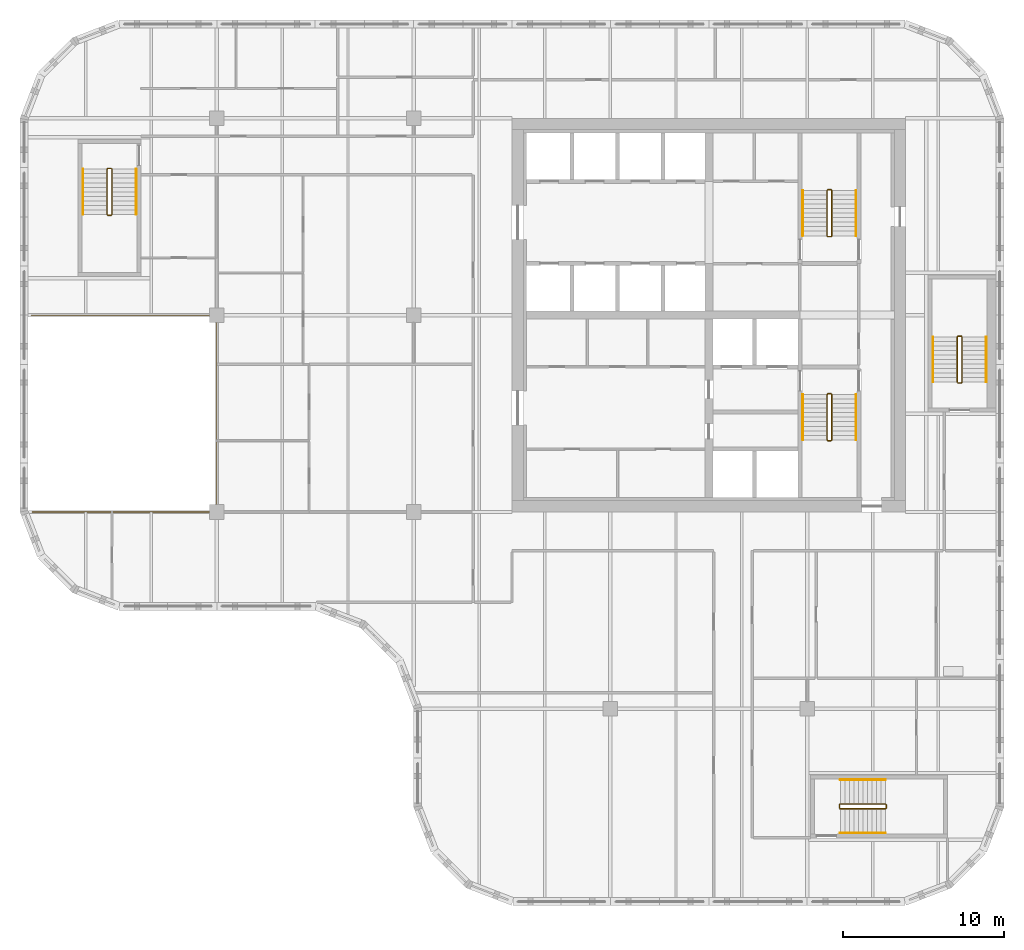
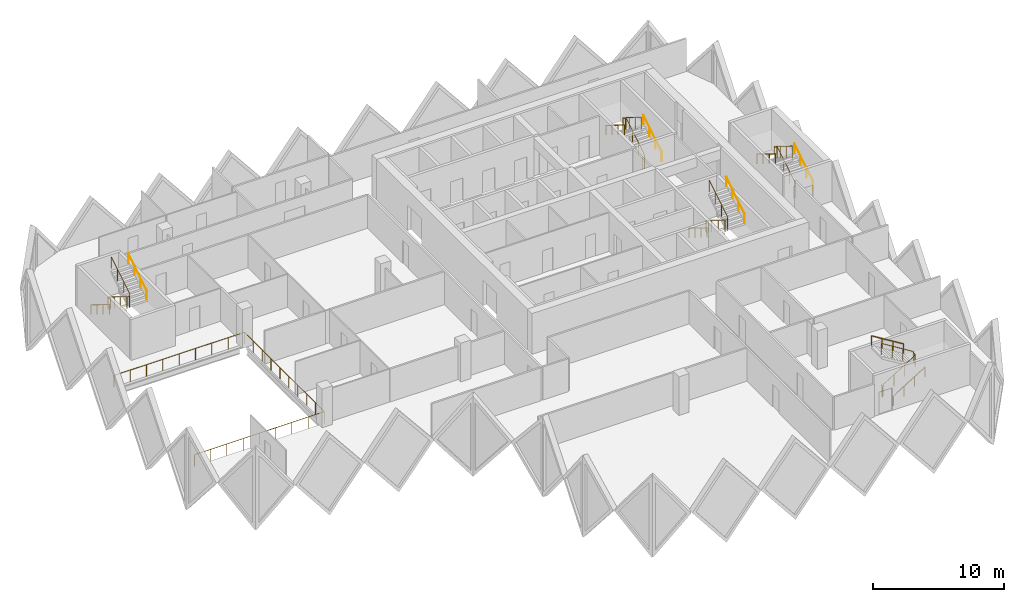
# One storey, part 11 of 12: 16 railings.
"""IFC4 building model written with IfcOpenShell, lengths in metres."""

from ifc_helpers import new_model, si_unit, direction, frame, origin, origin_2d, place, context, subcontext, project, spatial, circle, extrude, material, type_object, element, save


model = new_model("IFC4")

# Units and contexts
model_context = context("Model", 3, precision=1e-05, world=origin(), true_north=direction((0.0, 1.0)))
body_context = subcontext(model_context, "Body", "Model", "MODEL_VIEW")
ifc_project = project(units=[si_unit("LENGTHUNIT", "METRE"), si_unit("AREAUNIT", "SQUARE_METRE"), si_unit("VOLUMEUNIT", "CUBIC_METRE"), si_unit("PLANEANGLEUNIT", "RADIAN"), si_unit("MASSUNIT", "GRAM", prefix="KILO")], contexts=[model_context])

# Site, building, storey
site_placement = place(None, origin())
site = spatial("IfcSite", under=ifc_project, at=site_placement, CompositionType="ELEMENT")
building_placement = place(site_placement, origin())
building = spatial("IfcBuilding", under=site, at=building_placement, Name="Tessera Gate Towers", CompositionType="ELEMENT")
storey_placement = place(building_placement, frame((0.0, 0.0, 124.0)))
storey = spatial("IfcBuildingStorey", under=building, at=storey_placement, Name="L30", CompositionType="ELEMENT", Elevation=124.0)

# Railings
ifc_material_1 = material(Name="Toughened glass with stainless steel handrail", Category="steel")
railing_type_1 = type_object("IfcRailingType", Name="GUARD 1100 GLASS BALUSTRADE", PredefinedType="GUARDRAIL", material=ifc_material_1)
railing_1_placement = place(storey_placement, frame((0.750244140625, 24.39990234375, 0.0)))
element("IfcRailing", 1, at=railing_1_placement, inside=storey, type_object=railing_type_1, Name="Guard", PredefinedType="GUARDRAIL", context=body_context, shape_type="SweptSolid", body=[
    extrude(circle(Radius=0.02490234375, at=origin_2d()), frame((0.0, 0.0, 1.0751953125), z_axis=(1.0, 0.0, 0.0), x_axis=(0.0, 1.0, 0.0)), (0.0, 0.0, 1.0), 11.44970703125),
    extrude(circle(Radius=0.02490234375, at=origin_2d()), frame((11.44970703125, 0.0, 1.0751953125), z_axis=(0.0, 1.0, 0.0), x_axis=(-1.0, 0.0, 0.0)), (0.0, 0.0, 1.0), 12.2001953125),
    extrude(circle(Radius=0.02490234375, at=origin_2d()), frame((11.44970703125, 12.2001953125, 1.0751953125), z_axis=(-1.0, 0.0, 0.0), x_axis=(0.0, -1.0, 0.0)), (0.0, 0.0, 1.0), 11.5),
    extrude(circle(Radius=0.02490234375, at=origin_2d()), origin(), (0.0, 0.0, 1.0), 1.050048828125),
    extrude(circle(Radius=0.02490234375, at=origin_2d()), frame((1.43115234375, 0.0, 0.0)), (0.0, 0.0, 1.0), 1.050048828125),
    extrude(circle(Radius=0.02490234375, at=origin_2d()), frame((2.8623046875, 0.0, 0.0)), (0.0, 0.0, 1.0), 1.050048828125),
    extrude(circle(Radius=0.02490234375, at=origin_2d()), frame((4.293701171875, 0.0, 0.0)), (0.0, 0.0, 1.0), 1.050048828125),
    extrude(circle(Radius=0.02490234375, at=origin_2d()), frame((5.724853515625, 0.0, 0.0)), (0.0, 0.0, 1.0), 1.050048828125),
    extrude(circle(Radius=0.02490234375, at=origin_2d()), frame((7.156005859375, 0.0, 0.0)), (0.0, 0.0, 1.0), 1.050048828125),
    extrude(circle(Radius=0.02490234375, at=origin_2d()), frame((8.58740234375, 0.0, 0.0)), (0.0, 0.0, 1.0), 1.050048828125),
    extrude(circle(Radius=0.02490234375, at=origin_2d()), frame((10.0185546875, 0.0, 0.0)), (0.0, 0.0, 1.0), 1.050048828125),
    extrude(circle(Radius=0.02490234375, at=origin_2d()), frame((11.44970703125, 0.0, 0.0)), (0.0, 0.0, 1.0), 1.050048828125),
    extrude(circle(Radius=0.02490234375, at=origin_2d()), frame((11.44970703125, 1.35546875, 0.0)), (0.0, 0.0, 1.0), 1.050048828125),
    extrude(circle(Radius=0.02490234375, at=origin_2d()), frame((11.44970703125, 2.711181640625, 0.0)), (0.0, 0.0, 1.0), 1.050048828125),
    extrude(circle(Radius=0.02490234375, at=origin_2d()), frame((11.44970703125, 4.066650390625, 0.0)), (0.0, 0.0, 1.0), 1.050048828125),
    extrude(circle(Radius=0.02490234375, at=origin_2d()), frame((11.44970703125, 5.42236328125, 0.0)), (0.0, 0.0, 1.0), 1.050048828125),
    extrude(circle(Radius=0.02490234375, at=origin_2d()), frame((11.44970703125, 6.77783203125, 0.0)), (0.0, 0.0, 1.0), 1.050048828125),
    extrude(circle(Radius=0.02490234375, at=origin_2d()), frame((11.44970703125, 8.133544921875, 0.0)), (0.0, 0.0, 1.0), 1.050048828125),
    extrude(circle(Radius=0.02490234375, at=origin_2d()), frame((11.44970703125, 9.489013671875, 0.0)), (0.0, 0.0, 1.0), 1.050048828125),
    extrude(circle(Radius=0.02490234375, at=origin_2d()), frame((11.44970703125, 10.8447265625, 0.0)), (0.0, 0.0, 1.0), 1.050048828125),
    extrude(circle(Radius=0.02490234375, at=origin_2d()), frame((11.44970703125, 12.2001953125, 0.0)), (0.0, 0.0, 1.0), 1.050048828125),
    extrude(circle(Radius=0.02490234375, at=origin_2d()), frame((10.01220703125, 12.2001953125, 0.0)), (0.0, 0.0, 1.0), 1.050048828125),
    extrude(circle(Radius=0.02490234375, at=origin_2d()), frame((8.57470703125, 12.2001953125, 0.0)), (0.0, 0.0, 1.0), 1.050048828125),
    extrude(circle(Radius=0.02490234375, at=origin_2d()), frame((7.13720703125, 12.2001953125, 0.0)), (0.0, 0.0, 1.0), 1.050048828125),
    extrude(circle(Radius=0.02490234375, at=origin_2d()), frame((5.69970703125, 12.2001953125, 0.0)), (0.0, 0.0, 1.0), 1.050048828125),
    extrude(circle(Radius=0.02490234375, at=origin_2d()), frame((4.26220703125, 12.2001953125, 0.0)), (0.0, 0.0, 1.0), 1.050048828125),
    extrude(circle(Radius=0.02490234375, at=origin_2d()), frame((2.82470703125, 12.2001953125, 0.0)), (0.0, 0.0, 1.0), 1.050048828125),
    extrude(circle(Radius=0.02490234375, at=origin_2d()), frame((1.38720703125, 12.2001953125, 0.0)), (0.0, 0.0, 1.0), 1.050048828125),
    extrude(circle(Radius=0.02490234375, at=origin_2d()), frame((-0.05029296875, 12.2001953125, 0.0)), (0.0, 0.0, 1.0), 1.050048828125),
])
ifc_material_2 = material(Name="Steel 350W", Category="steel")
railing_type_2 = type_object("IfcRailingType", Name="STAIR GUARD 1100", PredefinedType="GUARDRAIL", material=ifc_material_2)
railing_2_placement = place(storey_placement, frame((50.27490234375, 31.72509765625, 0.0)))
element("IfcRailing", 2, at=railing_2_placement, inside=storey, type_object=railing_type_2, Name="L30 ST1 stair guard 1", PredefinedType="GUARDRAIL", context=body_context, shape_type="SweptSolid", body=[
    extrude(circle(Radius=0.02392578125, at=origin_2d()), frame((0.0, 0.0, 1.076171875), z_axis=(-1.0, 0.0, 0.0), x_axis=(0.0, -1.0, 0.0)), (0.0, 0.0, 1.0), 0.199951171875),
    extrude(circle(Radius=0.02392578125, at=origin_2d()), frame((-0.199951171875, 0.0, 1.076171875), z_axis=(-0.268277960024, -0.268277960024, 0.925231793839), x_axis=(0.707106781187, -0.707106781187, 0.0)), (0.0, 0.0, 1.0), 0.1865234375),
    extrude(circle(Radius=0.02392578125, at=origin_2d()), frame((-0.25, -0.050048828125, 1.24853515625), z_axis=(0.0, -0.851089632645, 0.525020415988), x_axis=(1.0, 0.0, 0.0)), (0.0, 0.0, 1.0), 3.2900390625),
    extrude(circle(Radius=0.02392578125, at=origin_2d()), frame((-0.25, -2.85009765625, 2.97607421875), z_axis=(0.707106781187, -0.707106781187, 0.0), x_axis=(0.707106781187, 0.707106781187, 0.0)), (0.0, 0.0, 1.0), 0.07080078125),
    extrude(circle(Radius=0.02392578125, at=origin_2d()), frame((-0.199951171875, -2.900146484375, 2.97607421875), z_axis=(1.0, 0.0, 0.0), x_axis=(0.0, 1.0, 0.0)), (0.0, 0.0, 1.0), 0.199951171875),
    extrude(circle(Radius=0.02392578125, at=origin_2d()), frame((0.0, -2.900146484375, 2.97607421875), z_axis=(0.267953482034, 0.267953482034, 0.925419830635), x_axis=(-0.707106781187, 0.707106781187, 0.0)), (0.0, 0.0, 1.0), 0.186767578125),
    extrude(circle(Radius=0.02392578125, at=origin_2d()), frame((0.050048828125, -2.85009765625, 3.14892578125), z_axis=(0.0, 0.851089632645, 0.525020415988), x_axis=(-1.0, 0.0, 0.0)), (0.0, 0.0, 1.0), 3.2900390625),
    extrude(circle(Radius=0.02099609375, at=origin_2d()), origin(), (0.0, 0.0, 1.0), 1.052001953125),
    extrude(circle(Radius=0.02099609375, at=origin_2d()), frame((-0.199951171875, 0.0, 0.0)), (0.0, 0.0, 1.0), 1.052001953125),
    extrude(circle(Radius=0.02099609375, at=origin_2d()), frame((-0.25, -0.050048828125, 0.172607421875)), (0.0, 0.0, 1.0), 1.052001953125),
    extrude(circle(Radius=0.02099609375, at=origin_2d()), frame((-0.25, -0.9833984375, 0.748291015625)), (0.0, 0.0, 1.0), 1.052001953125),
    extrude(circle(Radius=0.02099609375, at=origin_2d()), frame((-0.25, -1.916748046875, 1.32421875)), (0.0, 0.0, 1.0), 1.052001953125),
    extrude(circle(Radius=0.02099609375, at=origin_2d()), frame((-0.25, -2.85009765625, 1.89990234375)), (0.0, 0.0, 1.0), 1.052001953125),
    extrude(circle(Radius=0.02099609375, at=origin_2d()), frame((-0.199951171875, -2.900146484375, 1.89990234375)), (0.0, 0.0, 1.0), 1.052001953125),
    extrude(circle(Radius=0.02099609375, at=origin_2d()), frame((0.0, -2.900146484375, 1.89990234375)), (0.0, 0.0, 1.0), 1.052001953125),
    extrude(circle(Radius=0.02099609375, at=origin_2d()), frame((0.050048828125, -2.85009765625, 2.07275390625)), (0.0, 0.0, 1.0), 1.052001953125),
    extrude(circle(Radius=0.02099609375, at=origin_2d()), frame((0.050048828125, -1.916748046875, 2.6484375)), (0.0, 0.0, 1.0), 1.052001953125),
    extrude(circle(Radius=0.02099609375, at=origin_2d()), frame((0.050048828125, -0.9833984375, 3.224365234375)), (0.0, 0.0, 1.0), 1.052001953125),
    extrude(circle(Radius=0.02099609375, at=origin_2d()), frame((0.050048828125, -0.050048828125, 3.800048828125)), (0.0, 0.0, 1.0), 1.052001953125),
])
railing_3_placement = place(storey_placement, frame((50.074951171875, 41.47509765625, 0.0)))
element("IfcRailing", 3, at=railing_3_placement, inside=storey, type_object=railing_type_2, Name="L30 ST2 stair guard 1", PredefinedType="GUARDRAIL", context=body_context, shape_type="SweptSolid", body=[
    extrude(circle(Radius=0.02392578125, at=origin_2d()), frame((0.0, 0.0, 1.076171875), z_axis=(1.0, 0.0, 0.0), x_axis=(0.0, 1.0, 0.0)), (0.0, 0.0, 1.0), 0.199951171875),
    extrude(circle(Radius=0.02392578125, at=origin_2d()), frame((0.199951171875, 0.0, 1.076171875), z_axis=(0.268371968888, 0.267062837333, 0.925556009775), x_axis=(-0.705375805398, 0.708833529934, 0.0)), (0.0, 0.0, 1.0), 0.1865234375),
    extrude(circle(Radius=0.02392578125, at=origin_2d()), frame((0.25, 0.0498046875, 1.24853515625), z_axis=(0.0, 0.851089632645, 0.525020415988), x_axis=(-1.0, 0.0, 0.0)), (0.0, 0.0, 1.0), 3.2900390625),
    extrude(circle(Radius=0.02392578125, at=origin_2d()), frame((0.25, 2.849853515625, 2.97607421875), z_axis=(-0.707106781187, 0.707106781187, 0.0), x_axis=(-0.707106781187, -0.707106781187, 0.0)), (0.0, 0.0, 1.0), 0.07080078125),
    extrude(circle(Radius=0.02392578125, at=origin_2d()), frame((0.199951171875, 2.89990234375, 2.97607421875), z_axis=(-1.0, 0.0, 0.0), x_axis=(0.0, -1.0, 0.0)), (0.0, 0.0, 1.0), 0.199951171875),
    extrude(circle(Radius=0.02392578125, at=origin_2d()), frame((0.0, 2.89990234375, 2.97607421875), z_axis=(-0.267953482034, -0.267953482034, 0.925419830635), x_axis=(0.707106781187, -0.707106781187, 0.0)), (0.0, 0.0, 1.0), 0.186767578125),
    extrude(circle(Radius=0.02392578125, at=origin_2d()), frame((-0.050048828125, 2.849853515625, 3.14892578125), z_axis=(0.0, -0.851089632645, 0.525020415988), x_axis=(1.0, 0.0, 0.0)), (0.0, 0.0, 1.0), 3.2900390625),
    extrude(circle(Radius=0.02099609375, at=origin_2d()), origin(), (0.0, 0.0, 1.0), 1.052001953125),
    extrude(circle(Radius=0.02099609375, at=origin_2d()), frame((0.199951171875, 0.0, 0.0)), (0.0, 0.0, 1.0), 1.052001953125),
    extrude(circle(Radius=0.02099609375, at=origin_2d()), frame((0.25, 0.0498046875, 0.172607421875)), (0.0, 0.0, 1.0), 1.052001953125),
    extrude(circle(Radius=0.02099609375, at=origin_2d()), frame((0.25, 0.983154296875, 0.748291015625)), (0.0, 0.0, 1.0), 1.052001953125),
    extrude(circle(Radius=0.02099609375, at=origin_2d()), frame((0.25, 1.91650390625, 1.32421875)), (0.0, 0.0, 1.0), 1.052001953125),
    extrude(circle(Radius=0.02099609375, at=origin_2d()), frame((0.25, 2.849853515625, 1.89990234375)), (0.0, 0.0, 1.0), 1.052001953125),
    extrude(circle(Radius=0.02099609375, at=origin_2d()), frame((0.199951171875, 2.89990234375, 1.89990234375)), (0.0, 0.0, 1.0), 1.052001953125),
    extrude(circle(Radius=0.02099609375, at=origin_2d()), frame((0.0, 2.89990234375, 1.89990234375)), (0.0, 0.0, 1.0), 1.052001953125),
    extrude(circle(Radius=0.02099609375, at=origin_2d()), frame((-0.050048828125, 2.849853515625, 2.07275390625)), (0.0, 0.0, 1.0), 1.052001953125),
    extrude(circle(Radius=0.02099609375, at=origin_2d()), frame((-0.050048828125, 1.91650390625, 2.6484375)), (0.0, 0.0, 1.0), 1.052001953125),
    extrude(circle(Radius=0.02099609375, at=origin_2d()), frame((-0.050048828125, 0.983154296875, 3.224365234375)), (0.0, 0.0, 1.0), 1.052001953125),
    extrude(circle(Radius=0.02099609375, at=origin_2d()), frame((-0.050048828125, 0.0498046875, 3.800048828125)), (0.0, 0.0, 1.0), 1.052001953125),
])
railing_4_placement = place(storey_placement, frame((5.64990234375, 45.699951171875, 0.0)))
element("IfcRailing", 4, at=railing_4_placement, inside=storey, type_object=railing_type_2, Name="L30 ST3 stair guard 1", PredefinedType="GUARDRAIL", context=body_context, shape_type="SweptSolid", body=[
    extrude(circle(Radius=0.02392578125, at=origin_2d()), frame((0.0, 0.0, 1.076171875), z_axis=(-1.0, 0.0, 0.0), x_axis=(0.0, -1.0, 0.0)), (0.0, 0.0, 1.0), 0.199951171875),
    extrude(circle(Radius=0.02392578125, at=origin_2d()), frame((-0.199951171875, 0.0, 1.076171875), z_axis=(-0.268277960024, -0.268277960024, 0.925231793839), x_axis=(0.707106781187, -0.707106781187, 0.0)), (0.0, 0.0, 1.0), 0.1865234375),
    extrude(circle(Radius=0.02392578125, at=origin_2d()), frame((-0.25, -0.050048828125, 1.24853515625), z_axis=(0.0, -0.851069175582, 0.525053576669), x_axis=(1.0, 0.0, 0.0)), (0.0, 0.0, 1.0), 3.289794921875),
    extrude(circle(Radius=0.02392578125, at=origin_2d()), frame((-0.25, -2.849853515625, 2.97607421875), z_axis=(0.707106781187, -0.707106781187, 0.0), x_axis=(0.707106781187, 0.707106781187, 0.0)), (0.0, 0.0, 1.0), 0.07080078125),
    extrude(circle(Radius=0.02392578125, at=origin_2d()), frame((-0.199951171875, -2.89990234375, 2.97607421875), z_axis=(1.0, 0.0, 0.0), x_axis=(0.0, 1.0, 0.0)), (0.0, 0.0, 1.0), 0.199951171875),
    extrude(circle(Radius=0.02392578125, at=origin_2d()), frame((0.0, -2.89990234375, 2.97607421875), z_axis=(0.267953482034, 0.267953482034, 0.925419830635), x_axis=(-0.707106781187, 0.707106781187, 0.0)), (0.0, 0.0, 1.0), 0.186767578125),
    extrude(circle(Radius=0.02392578125, at=origin_2d()), frame((0.050048828125, -2.849853515625, 3.14892578125), z_axis=(0.0, 0.851069175582, 0.525053576669), x_axis=(-1.0, 0.0, 0.0)), (0.0, 0.0, 1.0), 3.289794921875),
    extrude(circle(Radius=0.02099609375, at=origin_2d()), origin(), (0.0, 0.0, 1.0), 1.052001953125),
    extrude(circle(Radius=0.02099609375, at=origin_2d()), frame((-0.199951171875, 0.0, 0.0)), (0.0, 0.0, 1.0), 1.052001953125),
    extrude(circle(Radius=0.02099609375, at=origin_2d()), frame((-0.25, -0.050048828125, 0.172607421875)), (0.0, 0.0, 1.0), 1.052001953125),
    extrude(circle(Radius=0.02099609375, at=origin_2d()), frame((-0.25, -0.9833984375, 0.748291015625)), (0.0, 0.0, 1.0), 1.052001953125),
    extrude(circle(Radius=0.02099609375, at=origin_2d()), frame((-0.25, -1.91650390625, 1.32421875)), (0.0, 0.0, 1.0), 1.052001953125),
    extrude(circle(Radius=0.02099609375, at=origin_2d()), frame((-0.25, -2.849853515625, 1.89990234375)), (0.0, 0.0, 1.0), 1.052001953125),
    extrude(circle(Radius=0.02099609375, at=origin_2d()), frame((-0.199951171875, -2.89990234375, 1.89990234375)), (0.0, 0.0, 1.0), 1.052001953125),
    extrude(circle(Radius=0.02099609375, at=origin_2d()), frame((0.0, -2.89990234375, 1.89990234375)), (0.0, 0.0, 1.0), 1.052001953125),
    extrude(circle(Radius=0.02099609375, at=origin_2d()), frame((0.050048828125, -2.849853515625, 2.07275390625)), (0.0, 0.0, 1.0), 1.052001953125),
    extrude(circle(Radius=0.02099609375, at=origin_2d()), frame((0.050048828125, -1.91650390625, 2.6484375)), (0.0, 0.0, 1.0), 1.052001953125),
    extrude(circle(Radius=0.02099609375, at=origin_2d()), frame((0.050048828125, -0.9833984375, 3.224365234375)), (0.0, 0.0, 1.0), 1.052001953125),
    extrude(circle(Radius=0.02099609375, at=origin_2d()), frame((0.050048828125, -0.050048828125, 3.800048828125)), (0.0, 0.0, 1.0), 1.052001953125),
])
railing_5_placement = place(storey_placement, frame((50.800048828125, 6.25, 0.0)))
element("IfcRailing", 5, at=railing_5_placement, inside=storey, type_object=railing_type_2, Name="L30 ST4 stair guard 1", PredefinedType="GUARDRAIL", context=body_context, shape_type="SweptSolid", body=[
    extrude(circle(Radius=0.02392578125, at=origin_2d()), frame((0.0, 0.0, 1.076171875), z_axis=(0.0, -1.0, 0.0), x_axis=(1.0, 0.0, 0.0)), (0.0, 0.0, 1.0), 0.199951171875),
    extrude(circle(Radius=0.02392578125, at=origin_2d()), frame((0.0, -0.199951171875, 1.076171875), z_axis=(0.268277960024, -0.268277960024, 0.925231793839), x_axis=(0.707106781187, 0.707106781187, 0.0)), (0.0, 0.0, 1.0), 0.1865234375),
    extrude(circle(Radius=0.02392578125, at=origin_2d()), frame((0.050048828125, -0.25, 1.24853515625), z_axis=(0.851069175582, 0.0, 0.525053576669), x_axis=(0.0, 1.0, 0.0)), (0.0, 0.0, 1.0), 3.289794921875),
    extrude(circle(Radius=0.02392578125, at=origin_2d()), frame((2.849853515625, -0.25, 2.97607421875), z_axis=(0.707106781187, 0.707106781187, 0.0), x_axis=(-0.707106781187, 0.707106781187, 0.0)), (0.0, 0.0, 1.0), 0.07080078125),
    extrude(circle(Radius=0.02392578125, at=origin_2d()), frame((2.89990234375, -0.199951171875, 2.97607421875), z_axis=(0.0, 1.0, 0.0), x_axis=(-1.0, 0.0, 0.0)), (0.0, 0.0, 1.0), 0.199951171875),
    extrude(circle(Radius=0.02392578125, at=origin_2d()), frame((2.89990234375, 0.0, 2.97607421875), z_axis=(-0.267953482034, 0.267953482034, 0.925419830635), x_axis=(-0.707106781187, -0.707106781187, 0.0)), (0.0, 0.0, 1.0), 0.186767578125),
    extrude(circle(Radius=0.02392578125, at=origin_2d()), frame((2.849853515625, 0.050048828125, 3.14892578125), z_axis=(-0.851069175582, 0.0, 0.525053576669), x_axis=(0.0, -1.0, 0.0)), (0.0, 0.0, 1.0), 3.289794921875),
    extrude(circle(Radius=0.02099609375, at=origin_2d()), origin(), (0.0, 0.0, 1.0), 1.052001953125),
    extrude(circle(Radius=0.02099609375, at=origin_2d()), frame((0.0, -0.199951171875, 0.0)), (0.0, 0.0, 1.0), 1.052001953125),
    extrude(circle(Radius=0.02099609375, at=origin_2d()), frame((0.050048828125, -0.25, 0.172607421875)), (0.0, 0.0, 1.0), 1.052001953125),
    extrude(circle(Radius=0.02099609375, at=origin_2d()), frame((0.9833984375, -0.25, 0.748291015625)), (0.0, 0.0, 1.0), 1.052001953125),
    extrude(circle(Radius=0.02099609375, at=origin_2d()), frame((1.91650390625, -0.25, 1.32421875)), (0.0, 0.0, 1.0), 1.052001953125),
    extrude(circle(Radius=0.02099609375, at=origin_2d()), frame((2.849853515625, -0.25, 1.89990234375)), (0.0, 0.0, 1.0), 1.052001953125),
    extrude(circle(Radius=0.02099609375, at=origin_2d()), frame((2.89990234375, -0.199951171875, 1.89990234375)), (0.0, 0.0, 1.0), 1.052001953125),
    extrude(circle(Radius=0.02099609375, at=origin_2d()), frame((2.89990234375, 0.0, 1.89990234375)), (0.0, 0.0, 1.0), 1.052001953125),
    extrude(circle(Radius=0.02099609375, at=origin_2d()), frame((2.849853515625, 0.050048828125, 2.07275390625)), (0.0, 0.0, 1.0), 1.052001953125),
    extrude(circle(Radius=0.02099609375, at=origin_2d()), frame((1.91650390625, 0.050048828125, 2.6484375)), (0.0, 0.0, 1.0), 1.052001953125),
    extrude(circle(Radius=0.02099609375, at=origin_2d()), frame((0.9833984375, 0.050048828125, 3.224365234375)), (0.0, 0.0, 1.0), 1.052001953125),
    extrude(circle(Radius=0.02099609375, at=origin_2d()), frame((0.050048828125, 0.050048828125, 3.800048828125)), (0.0, 0.0, 1.0), 1.052001953125),
])
railing_6_placement = place(storey_placement, frame((58.14990234375, 32.39990234375, 0.0)))
element("IfcRailing", 6, at=railing_6_placement, inside=storey, type_object=railing_type_2, Name="L30 ST5 stair guard 1", PredefinedType="GUARDRAIL", context=body_context, shape_type="SweptSolid", body=[
    extrude(circle(Radius=0.02392578125, at=origin_2d()), frame((0.0, 0.0, 1.076171875), z_axis=(1.0, 0.0, 0.0), x_axis=(0.0, 1.0, 0.0)), (0.0, 0.0, 1.0), 0.2001953125),
    extrude(circle(Radius=0.02392578125, at=origin_2d()), frame((0.2001953125, 0.0, 1.076171875), z_axis=(0.267062837333, 0.268371968888, 0.925556009775), x_axis=(-0.708833529934, 0.705375805398, 0.0)), (0.0, 0.0, 1.0), 0.1865234375),
    extrude(circle(Radius=0.02392578125, at=origin_2d()), frame((0.25, 0.050048828125, 1.24853515625), z_axis=(0.0, 0.851089632645, 0.525020415988), x_axis=(-1.0, 0.0, 0.0)), (0.0, 0.0, 1.0), 3.2900390625),
    extrude(circle(Radius=0.02392578125, at=origin_2d()), frame((0.25, 2.85009765625, 2.97607421875), z_axis=(-0.705375805398, 0.708833529934, 0.0), x_axis=(-0.708833529934, -0.705375805398, 0.0)), (0.0, 0.0, 1.0), 0.070556640625),
    extrude(circle(Radius=0.02392578125, at=origin_2d()), frame((0.2001953125, 2.900146484375, 2.97607421875), z_axis=(-1.0, 0.0, 0.0), x_axis=(0.0, -1.0, 0.0)), (0.0, 0.0, 1.0), 0.2001953125),
    extrude(circle(Radius=0.02392578125, at=origin_2d()), frame((0.0, 2.900146484375, 2.97607421875), z_axis=(-0.266739603011, -0.268047150085, 0.925743328097), x_axis=(0.708833529934, -0.705375805398, 0.0)), (0.0, 0.0, 1.0), 0.186767578125),
    extrude(circle(Radius=0.02392578125, at=origin_2d()), frame((-0.0498046875, 2.85009765625, 3.14892578125), z_axis=(0.0, -0.851089632645, 0.525020415988), x_axis=(1.0, 0.0, 0.0)), (0.0, 0.0, 1.0), 3.2900390625),
    extrude(circle(Radius=0.02099609375, at=origin_2d()), origin(), (0.0, 0.0, 1.0), 1.052001953125),
    extrude(circle(Radius=0.02099609375, at=origin_2d()), frame((0.2001953125, 0.0, 0.0)), (0.0, 0.0, 1.0), 1.052001953125),
    extrude(circle(Radius=0.02099609375, at=origin_2d()), frame((0.25, 0.050048828125, 0.172607421875)), (0.0, 0.0, 1.0), 1.052001953125),
    extrude(circle(Radius=0.02099609375, at=origin_2d()), frame((0.25, 0.9833984375, 0.748291015625)), (0.0, 0.0, 1.0), 1.052001953125),
    extrude(circle(Radius=0.02099609375, at=origin_2d()), frame((0.25, 1.916748046875, 1.32421875)), (0.0, 0.0, 1.0), 1.052001953125),
    extrude(circle(Radius=0.02099609375, at=origin_2d()), frame((0.25, 2.85009765625, 1.89990234375)), (0.0, 0.0, 1.0), 1.052001953125),
    extrude(circle(Radius=0.02099609375, at=origin_2d()), frame((0.2001953125, 2.900146484375, 1.89990234375)), (0.0, 0.0, 1.0), 1.052001953125),
    extrude(circle(Radius=0.02099609375, at=origin_2d()), frame((0.0, 2.900146484375, 1.89990234375)), (0.0, 0.0, 1.0), 1.052001953125),
    extrude(circle(Radius=0.02099609375, at=origin_2d()), frame((-0.0498046875, 2.85009765625, 2.07275390625)), (0.0, 0.0, 1.0), 1.052001953125),
    extrude(circle(Radius=0.02099609375, at=origin_2d()), frame((-0.0498046875, 1.916748046875, 2.6484375)), (0.0, 0.0, 1.0), 1.052001953125),
    extrude(circle(Radius=0.02099609375, at=origin_2d()), frame((-0.0498046875, 0.9833984375, 3.224365234375)), (0.0, 0.0, 1.0), 1.052001953125),
    extrude(circle(Radius=0.02099609375, at=origin_2d()), frame((-0.0498046875, 0.050048828125, 3.800048828125)), (0.0, 0.0, 1.0), 1.052001953125),
])
ifc_material_3 = material(Name="Steel 350W", Category="steel")
railing_type_3 = type_object("IfcRailingType", Name="STAIR HANDRAIL 900", PredefinedType="HANDRAIL", material=ifc_material_3)
railing_7_placement = place(storey_placement, frame((48.52490234375, 31.675048828125, 0.172607421875)))
element("IfcRailing", 7, at=railing_7_placement, inside=storey, type_object=railing_type_3, Name="L30 ST1 stair handrail 1", PredefinedType="HANDRAIL", context=body_context, shape_type="SweptSolid", body=[
    extrude(circle(Radius=0.02392578125, at=origin_2d()), frame((0.0, 0.0, 0.8759765625), z_axis=(0.0, -0.851089632645, 0.525020415988), x_axis=(1.0, 0.0, 0.0)), (0.0, 0.0, 1.0), 3.2900390625),
    extrude(circle(Radius=0.02099609375, at=origin_2d()), origin(), (0.0, 0.0, 1.0), 0.851806640625),
    extrude(circle(Radius=0.02099609375, at=origin_2d()), frame((0.0, -0.933349609375, 0.57568359375)), (0.0, 0.0, 1.0), 0.851806640625),
    extrude(circle(Radius=0.02099609375, at=origin_2d()), frame((0.0, -1.86669921875, 1.151611328125)), (0.0, 0.0, 1.0), 0.851806640625),
    extrude(circle(Radius=0.02099609375, at=origin_2d()), frame((0.0, -2.800048828125, 1.727294921875)), (0.0, 0.0, 1.0), 0.851806640625),
])
for number, where, name in (
    (8, (51.824951171875, 28.875, 2.07275390625), "L30 ST1 stair handrail 2"),
    (9, (51.824951171875, 41.52490234375, 0.172607421875), "L30 ST2 stair handrail 1"),
):
    element("IfcRailing", number, at=place(storey_placement, frame(where)), inside=storey, type_object=railing_type_3, Name=name, PredefinedType="HANDRAIL", context=body_context, shape_type="SweptSolid", body=[
        extrude(circle(Radius=0.02392578125, at=origin_2d()), frame((0.0, 0.0, 0.8759765625), z_axis=(0.0, 0.851089632645, 0.525020415988), x_axis=(-1.0, 0.0, 0.0)), (0.0, 0.0, 1.0), 3.2900390625),
        extrude(circle(Radius=0.02099609375, at=origin_2d()), origin(), (0.0, 0.0, 1.0), 0.851806640625),
        extrude(circle(Radius=0.02099609375, at=origin_2d()), frame((0.0, 0.933349609375, 0.57568359375)), (0.0, 0.0, 1.0), 0.851806640625),
        extrude(circle(Radius=0.02099609375, at=origin_2d()), frame((0.0, 1.86669921875, 1.151611328125)), (0.0, 0.0, 1.0), 0.851806640625),
        extrude(circle(Radius=0.02099609375, at=origin_2d()), frame((0.0, 2.800048828125, 1.727294921875)), (0.0, 0.0, 1.0), 0.851806640625),
    ])
railing_8_placement = place(storey_placement, frame((48.52490234375, 44.324951171875, 2.07275390625)))
element("IfcRailing", 10, at=railing_8_placement, inside=storey, type_object=railing_type_3, Name="L30 ST2 stair handrail 2", PredefinedType="HANDRAIL", context=body_context, shape_type="SweptSolid", body=[
    extrude(circle(Radius=0.02392578125, at=origin_2d()), frame((0.0, 0.0, 0.8759765625), z_axis=(0.0, -0.851089632645, 0.525020415988), x_axis=(1.0, 0.0, 0.0)), (0.0, 0.0, 1.0), 3.2900390625),
    extrude(circle(Radius=0.02099609375, at=origin_2d()), origin(), (0.0, 0.0, 1.0), 0.851806640625),
    extrude(circle(Radius=0.02099609375, at=origin_2d()), frame((0.0, -0.933349609375, 0.57568359375)), (0.0, 0.0, 1.0), 0.851806640625),
    extrude(circle(Radius=0.02099609375, at=origin_2d()), frame((0.0, -1.86669921875, 1.151611328125)), (0.0, 0.0, 1.0), 0.851806640625),
    extrude(circle(Radius=0.02099609375, at=origin_2d()), frame((0.0, -2.800048828125, 1.727294921875)), (0.0, 0.0, 1.0), 0.851806640625),
])
railing_9_placement = place(storey_placement, frame((3.89990234375, 45.64990234375, 0.172607421875)))
element("IfcRailing", 11, at=railing_9_placement, inside=storey, type_object=railing_type_3, Name="L30 ST3 stair handrail 1", PredefinedType="HANDRAIL", context=body_context, shape_type="SweptSolid", body=[
    extrude(circle(Radius=0.02392578125, at=origin_2d()), frame((0.0, 0.0, 0.8759765625), z_axis=(0.0, -0.851069175582, 0.525053576669), x_axis=(1.0, 0.0, 0.0)), (0.0, 0.0, 1.0), 3.289794921875),
    extrude(circle(Radius=0.02099609375, at=origin_2d()), origin(), (0.0, 0.0, 1.0), 0.851806640625),
    extrude(circle(Radius=0.02099609375, at=origin_2d()), frame((0.0, -0.933349609375, 0.57568359375)), (0.0, 0.0, 1.0), 0.851806640625),
    extrude(circle(Radius=0.02099609375, at=origin_2d()), frame((0.0, -1.866455078125, 1.151611328125)), (0.0, 0.0, 1.0), 0.851806640625),
    extrude(circle(Radius=0.02099609375, at=origin_2d()), frame((0.0, -2.7998046875, 1.727294921875)), (0.0, 0.0, 1.0), 0.851806640625),
])
railing_10_placement = place(storey_placement, frame((7.199951171875, 42.85009765625, 2.07275390625)))
element("IfcRailing", 12, at=railing_10_placement, inside=storey, type_object=railing_type_3, Name="L30 ST3 stair handrail 2", PredefinedType="HANDRAIL", context=body_context, shape_type="SweptSolid", body=[
    extrude(circle(Radius=0.02392578125, at=origin_2d()), frame((0.0, 0.0, 0.8759765625), z_axis=(0.0, 0.851069175582, 0.525053576669), x_axis=(-1.0, 0.0, 0.0)), (0.0, 0.0, 1.0), 3.289794921875),
    extrude(circle(Radius=0.02099609375, at=origin_2d()), origin(), (0.0, 0.0, 1.0), 0.851806640625),
    extrude(circle(Radius=0.02099609375, at=origin_2d()), frame((0.0, 0.933349609375, 0.57568359375)), (0.0, 0.0, 1.0), 0.851806640625),
    extrude(circle(Radius=0.02099609375, at=origin_2d()), frame((0.0, 1.866455078125, 1.151611328125)), (0.0, 0.0, 1.0), 0.851806640625),
    extrude(circle(Radius=0.02099609375, at=origin_2d()), frame((0.0, 2.7998046875, 1.727294921875)), (0.0, 0.0, 1.0), 0.851806640625),
])
railing_11_placement = place(storey_placement, frame((50.85009765625, 4.5, 0.172607421875)))
element("IfcRailing", 13, at=railing_11_placement, inside=storey, type_object=railing_type_3, Name="L30 ST4 stair handrail 1", PredefinedType="HANDRAIL", context=body_context, shape_type="SweptSolid", body=[
    extrude(circle(Radius=0.02392578125, at=origin_2d()), frame((0.0, 0.0, 0.8759765625), z_axis=(0.851069175582, 0.0, 0.525053576669), x_axis=(0.0, 1.0, 0.0)), (0.0, 0.0, 1.0), 3.289794921875),
    extrude(circle(Radius=0.02099609375, at=origin_2d()), origin(), (0.0, 0.0, 1.0), 0.851806640625),
    extrude(circle(Radius=0.02099609375, at=origin_2d()), frame((0.933349609375, 0.0, 0.57568359375)), (0.0, 0.0, 1.0), 0.851806640625),
    extrude(circle(Radius=0.02099609375, at=origin_2d()), frame((1.866455078125, 0.0, 1.151611328125)), (0.0, 0.0, 1.0), 0.851806640625),
    extrude(circle(Radius=0.02099609375, at=origin_2d()), frame((2.7998046875, 0.0, 1.727294921875)), (0.0, 0.0, 1.0), 0.851806640625),
])
railing_12_placement = place(storey_placement, frame((53.64990234375, 7.800048828125, 2.07275390625)))
element("IfcRailing", 14, at=railing_12_placement, inside=storey, type_object=railing_type_3, Name="L30 ST4 stair handrail 2", PredefinedType="HANDRAIL", context=body_context, shape_type="SweptSolid", body=[
    extrude(circle(Radius=0.02392578125, at=origin_2d()), frame((0.0, 0.0, 0.8759765625), z_axis=(-0.851069175582, 0.0, 0.525053576669), x_axis=(0.0, -1.0, 0.0)), (0.0, 0.0, 1.0), 3.289794921875),
    extrude(circle(Radius=0.02099609375, at=origin_2d()), origin(), (0.0, 0.0, 1.0), 0.851806640625),
    extrude(circle(Radius=0.02099609375, at=origin_2d()), frame((-0.933349609375, 0.0, 0.57568359375)), (0.0, 0.0, 1.0), 0.851806640625),
    extrude(circle(Radius=0.02099609375, at=origin_2d()), frame((-1.866455078125, 0.0, 1.151611328125)), (0.0, 0.0, 1.0), 0.851806640625),
    extrude(circle(Radius=0.02099609375, at=origin_2d()), frame((-2.7998046875, 0.0, 1.727294921875)), (0.0, 0.0, 1.0), 0.851806640625),
])
railing_13_placement = place(storey_placement, frame((59.89990234375, 32.449951171875, 0.172607421875)))
element("IfcRailing", 15, at=railing_13_placement, inside=storey, type_object=railing_type_3, Name="L30 ST5 stair handrail 1", PredefinedType="HANDRAIL", context=body_context, shape_type="SweptSolid", body=[
    extrude(circle(Radius=0.02392578125, at=origin_2d()), frame((0.0, 0.0, 0.8759765625), z_axis=(0.0, 0.851089632645, 0.525020415988), x_axis=(-1.0, 0.0, 0.0)), (0.0, 0.0, 1.0), 3.2900390625),
    extrude(circle(Radius=0.02099609375, at=origin_2d()), origin(), (0.0, 0.0, 1.0), 0.851806640625),
    extrude(circle(Radius=0.02099609375, at=origin_2d()), frame((0.0, 0.933349609375, 0.57568359375)), (0.0, 0.0, 1.0), 0.851806640625),
    extrude(circle(Radius=0.02099609375, at=origin_2d()), frame((0.0, 1.86669921875, 1.151611328125)), (0.0, 0.0, 1.0), 0.851806640625),
    extrude(circle(Radius=0.02099609375, at=origin_2d()), frame((0.0, 2.800048828125, 1.727294921875)), (0.0, 0.0, 1.0), 0.851806640625),
])
railing_14_placement = place(storey_placement, frame((56.60009765625, 35.25, 2.07275390625)))
element("IfcRailing", 16, at=railing_14_placement, inside=storey, type_object=railing_type_3, Name="L30 ST5 stair handrail 2", PredefinedType="HANDRAIL", context=body_context, shape_type="SweptSolid", body=[
    extrude(circle(Radius=0.02392578125, at=origin_2d()), frame((0.0, 0.0, 0.8759765625), z_axis=(0.0, -0.851089632645, 0.525020415988), x_axis=(1.0, 0.0, 0.0)), (0.0, 0.0, 1.0), 3.2900390625),
    extrude(circle(Radius=0.02099609375, at=origin_2d()), origin(), (0.0, 0.0, 1.0), 0.851806640625),
    extrude(circle(Radius=0.02099609375, at=origin_2d()), frame((0.0, -0.933349609375, 0.57568359375)), (0.0, 0.0, 1.0), 0.851806640625),
    extrude(circle(Radius=0.02099609375, at=origin_2d()), frame((0.0, -1.86669921875, 1.151611328125)), (0.0, 0.0, 1.0), 0.851806640625),
    extrude(circle(Radius=0.02099609375, at=origin_2d()), frame((0.0, -2.800048828125, 1.727294921875)), (0.0, 0.0, 1.0), 0.851806640625),
])

save(model, "model.ifc")
